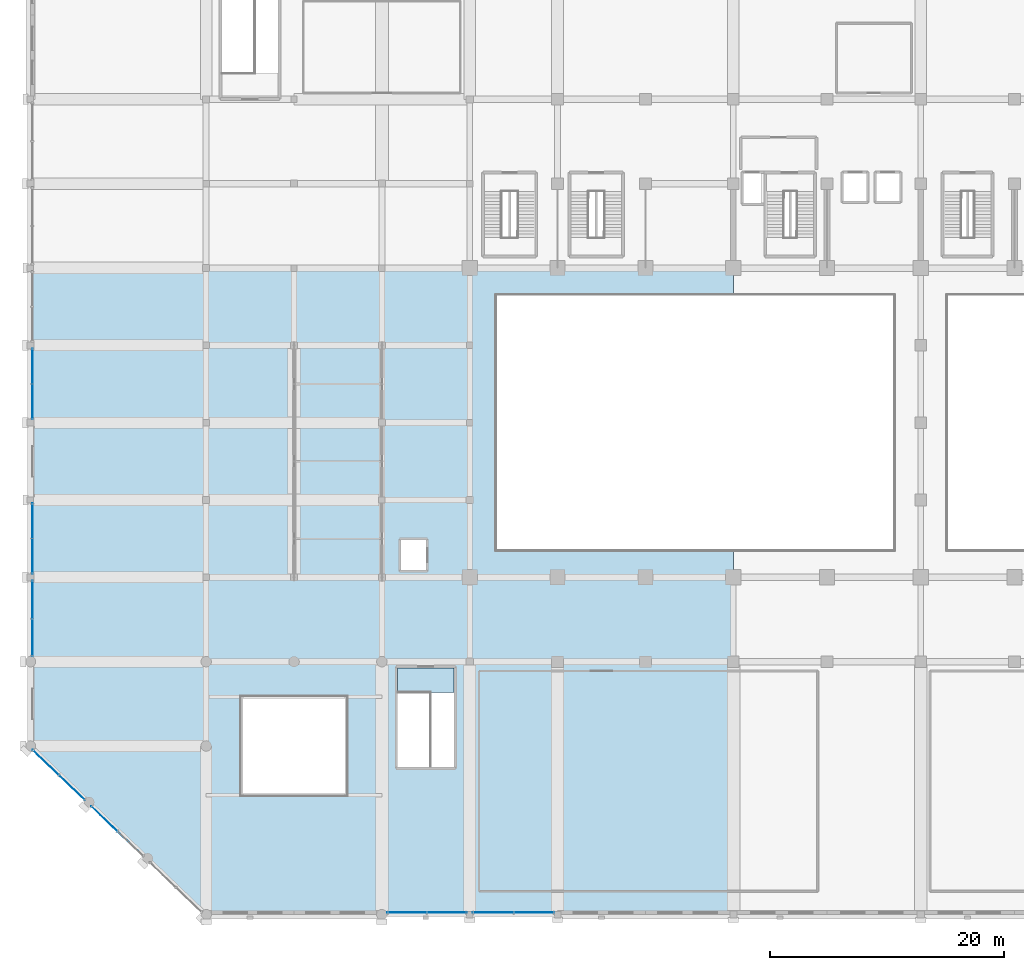
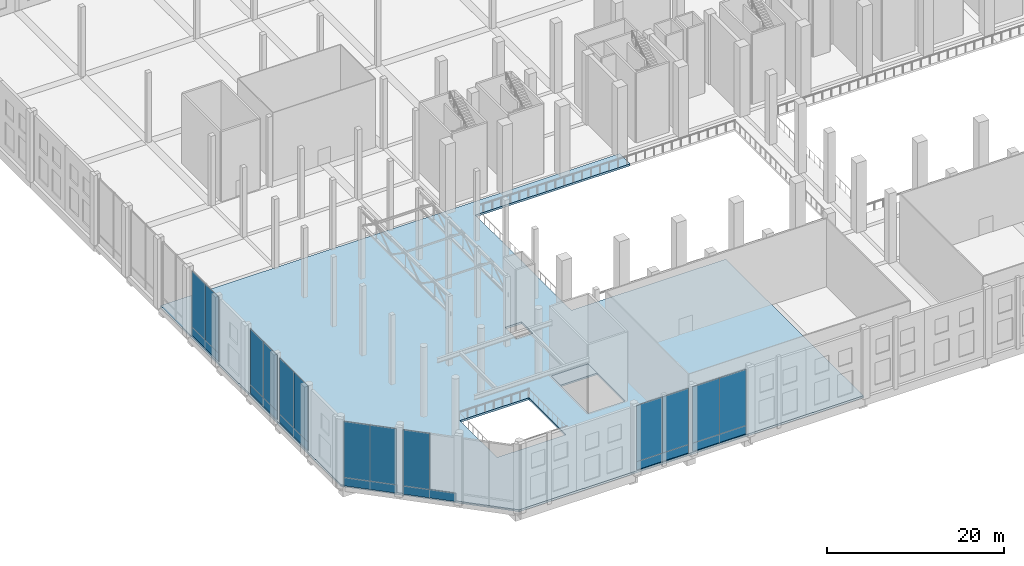
# One storey, part 52 of 80: 20 plates, 2 slabs, 7 elements without a shape of their own.
"""IFC4 building model written with IfcOpenShell, lengths in metres."""

from ifc_helpers import new_model, si_unit, direction, frame, origin, origin_2d, place, context, subcontext, project, spatial, polyline, rectangle, outline, extrude, material, layer, layer_set, type_object, element, aggregate, save


model = new_model("IFC4")

# Units and contexts
model_context = context("Model", 3, precision=1e-05, world=origin(), true_north=direction((0.0, 1.0)))
body_context = subcontext(model_context, "Body", "Model", "MODEL_VIEW")
ifc_project = project(units=[si_unit("LENGTHUNIT", "METRE"), si_unit("AREAUNIT", "SQUARE_METRE"), si_unit("VOLUMEUNIT", "CUBIC_METRE"), si_unit("PLANEANGLEUNIT", "RADIAN"), si_unit("MASSUNIT", "GRAM", prefix="KILO")], contexts=[model_context])

# Site, building, storey
site_placement = place(None, origin())
site = spatial("IfcSite", under=ifc_project, at=site_placement, CompositionType="ELEMENT")
building_placement = place(site_placement, origin())
building = spatial("IfcBuilding", under=site, at=building_placement, Name="Akrevak Sports Hall", CompositionType="ELEMENT")
storey_placement = place(building_placement, frame((0.0, 0.0, 14.0)))
storey = spatial("IfcBuildingStorey", under=building, at=storey_placement, Name="L03", CompositionType="ELEMENT", Elevation=14.0)

# Curtain wall, plate
ifc_material_1 = material(Name="Anodized Bronze Aluminium & Low-E Glass", Category="aluminium")
curtain_wall_type = type_object("IfcCurtainWallType", Name="ARC-CW-POD-64x94", PredefinedType="NOTDEFINED", material=ifc_material_1)
curtain_wall_1_placement = place(storey_placement, origin())
curtain_wall_1 = element("IfcCurtainWall", 1, at=curtain_wall_1_placement, inside=storey, type_object=curtain_wall_type, Name="Curtain Wall CW-L03-CH2", PredefinedType="NOTDEFINED")
ifc_material_2 = material(Name="Double Low-E Tempered Glass", Category="glass")
ifc_layer_1 = layer(ifc_material_2, 0.035888671875, Name="Double Low-E Tempered Glass")
ifc_layer_set_1 = layer_set([ifc_layer_1], Name="Double Low-E Tempered Glass")
plate_type_1 = type_object("IfcPlateType", Name="ARC-CWP-GLZ-36", PredefinedType="CURTAIN_PANEL", material=ifc_layer_set_1)
plate_1_placement = place(storey_placement, frame((6.304931640625, 8.180908203125, 1.14990234375), z_axis=(0.0, 0.0, 1.0), x_axis=(-0.721397723859, 0.692520991747, 0.0)))
plate_1 = element("IfcPlate", 2, at=plate_1_placement, type_object=plate_type_1, Name="Vision Glass Panel CW-L03-CH2-G2", PredefinedType="CURTAIN_PANEL", context=body_context, shape_type="SweptSolid", body=[
    extrude(rectangle(XDim=3.0830078125, YDim=0.035888671875, at=origin_2d()), origin(), (0.0, 0.0, 1.0), 7.760009765625),
])

# Curtain wall, plates
curtain_wall_2_placement = place(storey_placement, origin())
curtain_wall_2 = element("IfcCurtainWall", 3, at=curtain_wall_2_placement, inside=storey, type_object=curtain_wall_type, Name="Curtain Wall CW-L03-CH3", PredefinedType="NOTDEFINED")
plate_2_placement = place(storey_placement, frame((3.529052734375, 10.845947265625, 1.14990234375), z_axis=(0.0, 0.0, 1.0), x_axis=(-0.721397723859, 0.692520991747, 0.0)))
plate_2 = element("IfcPlate", 4, at=plate_2_placement, type_object=plate_type_1, Name="Vision Glass Panel CW-L03-CH3-G1", PredefinedType="CURTAIN_PANEL", context=body_context, shape_type="SweptSolid", body=[
    extrude(rectangle(XDim=3.0830078125, YDim=0.035888671875, at=origin_2d()), origin(), (0.0, 0.0, 1.0), 7.760009765625),
])
plate_3_placement = place(storey_placement, frame((1.304931640625, 12.98095703125, 1.14990234375), z_axis=(0.0, 0.0, 1.0), x_axis=(-0.721397723859, 0.692520991747, 0.0)))
plate_3 = element("IfcPlate", 5, at=plate_3_placement, type_object=plate_type_1, Name="Vision Glass Panel CW-L03-CH3-G2", PredefinedType="CURTAIN_PANEL", context=body_context, shape_type="SweptSolid", body=[
    extrude(rectangle(XDim=3.0830078125, YDim=0.035888671875, at=origin_2d()), origin(), (0.0, 0.0, 1.0), 7.760009765625),
])

curtain_wall_3_placement = place(storey_placement, origin())
curtain_wall_3 = element("IfcCurtainWall", 6, at=curtain_wall_3_placement, inside=storey, type_object=curtain_wall_type, Name="Curtain Wall CW-L03-S03", PredefinedType="NOTDEFINED")
plate_4_placement = place(storey_placement, frame((32.143798828125, 0.169921875, 1.14990234375), z_axis=(0.0, 0.0, 1.0), x_axis=(1.0, 0.0, 0.0)))
plate_4 = element("IfcPlate", 7, at=plate_4_placement, type_object=plate_type_1, Name="Vision Glass Panel CW-L03-S03-G1", PredefinedType="CURTAIN_PANEL", context=body_context, shape_type="SweptSolid", body=[
    extrude(rectangle(XDim=3.387451171875, YDim=0.035888671875, at=origin_2d()), origin(), (0.0, 0.0, 1.0), 7.77001953125),
])
plate_5_placement = place(storey_placement, frame((35.53125, 0.169921875, 1.14990234375), z_axis=(0.0, 0.0, 1.0), x_axis=(1.0, 0.0, 0.0)))
plate_5 = element("IfcPlate", 8, at=plate_5_placement, type_object=plate_type_1, Name="Vision Glass Panel CW-L03-S03-G2", PredefinedType="CURTAIN_PANEL", context=body_context, shape_type="SweptSolid", body=[
    extrude(rectangle(XDim=3.387451171875, YDim=0.035888671875, at=origin_2d()), origin(), (0.0, 0.0, 1.0), 7.77001953125),
])

curtain_wall_4_placement = place(storey_placement, origin())
curtain_wall_4 = element("IfcCurtainWall", 9, at=curtain_wall_4_placement, inside=storey, type_object=curtain_wall_type, Name="Curtain Wall CW-L03-S04", PredefinedType="NOTDEFINED")
plate_6_placement = place(storey_placement, frame((39.512451171875, 0.169921875, 1.14990234375), z_axis=(0.0, 0.0, 1.0), x_axis=(1.0, 0.0, 0.0)))
plate_6 = element("IfcPlate", 10, at=plate_6_placement, type_object=plate_type_1, Name="Vision Glass Panel CW-L03-S04-G1", PredefinedType="CURTAIN_PANEL", context=body_context, shape_type="SweptSolid", body=[
    extrude(rectangle(XDim=3.47509765625, YDim=0.035888671875, at=origin_2d()), origin(), (0.0, 0.0, 1.0), 7.77001953125),
])
plate_7_placement = place(storey_placement, frame((42.987548828125, 0.169921875, 1.14990234375), z_axis=(0.0, 0.0, 1.0), x_axis=(1.0, 0.0, 0.0)))
plate_7 = element("IfcPlate", 11, at=plate_7_placement, type_object=plate_type_1, Name="Vision Glass Panel CW-L03-S04-G2", PredefinedType="CURTAIN_PANEL", context=body_context, shape_type="SweptSolid", body=[
    extrude(rectangle(XDim=3.47509765625, YDim=0.035888671875, at=origin_2d()), origin(), (0.0, 0.0, 1.0), 7.77001953125),
])

curtain_wall_5_placement = place(storey_placement, origin())
curtain_wall_5 = element("IfcCurtainWall", 12, at=curtain_wall_5_placement, inside=storey, type_object=curtain_wall_type, Name="Curtain Wall CW-L03-W02", PredefinedType="NOTDEFINED")
plate_8_placement = place(storey_placement, frame((0.169921875, 26.887451171875, 1.14990234375), z_axis=(0.0, 0.0, 1.0), x_axis=(0.0, -1.0, 0.0)))
plate_8 = element("IfcPlate", 13, at=plate_8_placement, type_object=plate_type_1, Name="Vision Glass Panel CW-L03-W02-G1", PredefinedType="CURTAIN_PANEL", context=body_context, shape_type="SweptSolid", body=[
    extrude(rectangle(XDim=3.22509765625, YDim=0.035888671875, at=origin_2d()), origin(), (0.0, 0.0, 1.0), 7.77001953125),
])
plate_9_placement = place(storey_placement, frame((0.169921875, 23.66259765625, 1.14990234375), z_axis=(0.0, 0.0, 1.0), x_axis=(0.0, -1.0, 0.0)))
plate_9 = element("IfcPlate", 14, at=plate_9_placement, type_object=plate_type_1, Name="Vision Glass Panel CW-L03-W02-G2", PredefinedType="CURTAIN_PANEL", context=body_context, shape_type="SweptSolid", body=[
    extrude(rectangle(XDim=3.22509765625, YDim=0.035888671875, at=origin_2d()), origin(), (0.0, 0.0, 1.0), 7.77001953125),
])

curtain_wall_6_placement = place(storey_placement, origin())
curtain_wall_6 = element("IfcCurtainWall", 15, at=curtain_wall_6_placement, inside=storey, type_object=curtain_wall_type, Name="Curtain Wall CW-L03-W03", PredefinedType="NOTDEFINED")
plate_10_placement = place(storey_placement, frame((0.169921875, 33.61865234375, 1.14990234375), z_axis=(0.0, 0.0, 1.0), x_axis=(0.0, -1.0, 0.0)))
plate_10 = element("IfcPlate", 16, at=plate_10_placement, type_object=plate_type_1, Name="Vision Glass Panel CW-L03-W03-G1", PredefinedType="CURTAIN_PANEL", context=body_context, shape_type="SweptSolid", body=[
    extrude(rectangle(XDim=3.012451171875, YDim=0.035888671875, at=origin_2d()), origin(), (0.0, 0.0, 1.0), 7.77001953125),
])
plate_11_placement = place(storey_placement, frame((0.169921875, 30.606201171875, 1.14990234375), z_axis=(0.0, 0.0, 1.0), x_axis=(0.0, -1.0, 0.0)))
plate_11 = element("IfcPlate", 17, at=plate_11_placement, type_object=plate_type_1, Name="Vision Glass Panel CW-L03-W03-G2", PredefinedType="CURTAIN_PANEL", context=body_context, shape_type="SweptSolid", body=[
    extrude(rectangle(XDim=3.012451171875, YDim=0.035888671875, at=origin_2d()), origin(), (0.0, 0.0, 1.0), 7.77001953125),
])

curtain_wall_7_placement = place(storey_placement, origin())
curtain_wall_7 = element("IfcCurtainWall", 18, at=curtain_wall_7_placement, inside=storey, type_object=curtain_wall_type, Name="Curtain Wall CW-L03-W05", PredefinedType="NOTDEFINED")
plate_12_placement = place(storey_placement, frame((0.169921875, 46.800048828125, 1.14990234375), z_axis=(0.0, 0.0, 1.0), x_axis=(0.0, -1.0, 0.0)))
plate_12 = element("IfcPlate", 19, at=plate_12_placement, type_object=plate_type_1, Name="Vision Glass Panel CW-L03-W05-G1", PredefinedType="CURTAIN_PANEL", context=body_context, shape_type="SweptSolid", body=[
    extrude(rectangle(XDim=3.0, YDim=0.035888671875, at=origin_2d()), origin(), (0.0, 0.0, 1.0), 7.77001953125),
])
plate_13_placement = place(storey_placement, frame((0.169921875, 43.800048828125, 1.14990234375), z_axis=(0.0, 0.0, 1.0), x_axis=(0.0, -1.0, 0.0)))
plate_13 = element("IfcPlate", 20, at=plate_13_placement, type_object=plate_type_1, Name="Vision Glass Panel CW-L03-W05-G2", PredefinedType="CURTAIN_PANEL", context=body_context, shape_type="SweptSolid", body=[
    extrude(rectangle(XDim=3.0, YDim=0.035888671875, at=origin_2d()), origin(), (0.0, 0.0, 1.0), 7.77001953125),
])

# Plate
ifc_material_3 = material(Name="Insulated Bronze Spandrel Panel", Category="aluminium")
ifc_layer_2 = layer(ifc_material_3, 0.0439453125, Name="Insulated Bronze Spandrel Panel")
ifc_layer_set_2 = layer_set([ifc_layer_2], Name="Insulated Bronze Spandrel Panel")
plate_type_2 = type_object("IfcPlateType", Name="ARC-CWP-SPD-44", PredefinedType="CURTAIN_PANEL", material=ifc_layer_set_2)
plate_14_placement = place(storey_placement, frame((7.4169921875, 7.11328125, 0.0), z_axis=(0.0, 0.0, 1.0), x_axis=(-0.721397723859, 0.692520991747, 0.0)))
plate_14 = element("IfcPlate", 21, at=plate_14_placement, type_object=plate_type_2, Name="Insulated Spandrel Panel CW-L03-CH2-S1", PredefinedType="CURTAIN_PANEL", context=body_context, shape_type="SweptSolid", body=[
    extrude(rectangle(XDim=6.166015625, YDim=0.0439453125, at=origin_2d()), origin(), (0.0, 0.0, 1.0), 1.14990234375),
])

aggregate(curtain_wall_1, [plate_1, plate_14])

plate_15_placement = place(storey_placement, frame((2.4169921875, 11.913330078125, 0.0), z_axis=(0.0, 0.0, 1.0), x_axis=(-0.721397723859, 0.692520991747, 0.0)))
plate_15 = element("IfcPlate", 22, at=plate_15_placement, type_object=plate_type_2, Name="Insulated Spandrel Panel CW-L03-CH3-S1", PredefinedType="CURTAIN_PANEL", context=body_context, shape_type="SweptSolid", body=[
    extrude(rectangle(XDim=6.166015625, YDim=0.0439453125, at=origin_2d()), origin(), (0.0, 0.0, 1.0), 1.14990234375),
])

aggregate(curtain_wall_2, [plate_2, plate_3, plate_15])

plate_16_placement = place(storey_placement, frame((33.83740234375, 0.169921875, 0.0), z_axis=(0.0, 0.0, 1.0), x_axis=(1.0, 0.0, 0.0)))
plate_16 = element("IfcPlate", 23, at=plate_16_placement, type_object=plate_type_2, Name="Insulated Spandrel Panel CW-L03-S03-S1", PredefinedType="CURTAIN_PANEL", context=body_context, shape_type="SweptSolid", body=[
    extrude(rectangle(XDim=6.77490234375, YDim=0.0439453125, at=origin_2d()), origin(), (0.0, 0.0, 1.0), 1.14990234375),
])

aggregate(curtain_wall_3, [plate_4, plate_5, plate_16])

plate_17_placement = place(storey_placement, frame((41.25, 0.169921875, 0.0), z_axis=(0.0, 0.0, 1.0), x_axis=(1.0, 0.0, 0.0)))
plate_17 = element("IfcPlate", 24, at=plate_17_placement, type_object=plate_type_2, Name="Insulated Spandrel Panel CW-L03-S04-S1", PredefinedType="CURTAIN_PANEL", context=body_context, shape_type="SweptSolid", body=[
    extrude(rectangle(XDim=6.949951171875, YDim=0.0439453125, at=origin_2d()), origin(), (0.0, 0.0, 1.0), 1.14990234375),
])

aggregate(curtain_wall_4, [plate_6, plate_7, plate_17])

plate_18_placement = place(storey_placement, frame((0.169921875, 25.27490234375, 0.0), z_axis=(0.0, 0.0, 1.0), x_axis=(0.0, -1.0, 0.0)))
plate_18 = element("IfcPlate", 25, at=plate_18_placement, type_object=plate_type_2, Name="Insulated Spandrel Panel CW-L03-W02-S1", PredefinedType="CURTAIN_PANEL", context=body_context, shape_type="SweptSolid", body=[
    extrude(rectangle(XDim=6.449951171875, YDim=0.0439453125, at=origin_2d()), origin(), (0.0, 0.0, 1.0), 1.14990234375),
])

aggregate(curtain_wall_5, [plate_8, plate_9, plate_18])

plate_19_placement = place(storey_placement, frame((0.169921875, 32.112548828125, 0.0), z_axis=(0.0, 0.0, 1.0), x_axis=(0.0, -1.0, 0.0)))
plate_19 = element("IfcPlate", 26, at=plate_19_placement, type_object=plate_type_2, Name="Insulated Spandrel Panel CW-L03-W03-S1", PredefinedType="CURTAIN_PANEL", context=body_context, shape_type="SweptSolid", body=[
    extrude(rectangle(XDim=6.02490234375, YDim=0.0439453125, at=origin_2d()), origin(), (0.0, 0.0, 1.0), 1.14990234375),
])

aggregate(curtain_wall_6, [plate_10, plate_11, plate_19])

plate_20_placement = place(storey_placement, frame((0.169921875, 45.300048828125, 0.0), z_axis=(0.0, 0.0, 1.0), x_axis=(0.0, -1.0, 0.0)))
plate_20 = element("IfcPlate", 27, at=plate_20_placement, type_object=plate_type_2, Name="Insulated Spandrel Panel CW-L03-W05-S1", PredefinedType="CURTAIN_PANEL", context=body_context, shape_type="SweptSolid", body=[
    extrude(rectangle(XDim=6.0, YDim=0.0439453125, at=origin_2d()), origin(), (0.0, 0.0, 1.0), 1.14990234375),
])

aggregate(curtain_wall_7, [plate_12, plate_13, plate_20])

# Slabs
ifc_material_4 = material(Name="Concrete C40/50", Category="concrete")
ifc_layer_3 = layer(ifc_material_4, 0.280029296875, Name="Concrete C40/50")
ifc_layer_set_3 = layer_set([ifc_layer_3], Name="Concrete C40/50")
slab_type_1 = type_object("IfcSlabType", Name="STR-SLB-FLR-280", PredefinedType="FLOOR", material=ifc_layer_set_3)
slab_1_placement = place(storey_placement, frame((0.0, 0.0, -0.280029296875)))
element("IfcSlab", 28, at=slab_1_placement, inside=storey, type_object=slab_type_1, Name="Structural Floor Slab L03-1.1", PredefinedType="FLOOR", context=body_context, shape_type="SweptSolid", body=[
    extrude(outline(polyline([(0.0, 14.39990234375), (15.0, 0.0), (60.0, 0.0), (60.0, 31.14990234375), (39.800048828125, 31.14990234375), (39.800048828125, 52.85009765625), (60.0, 52.85009765625), (60.0, 55.199951171875), (0.0, 55.199951171875), (0.0, 14.39990234375)]), holes=[polyline([(27.0, 18.60009765625), (27.0, 10.199951171875), (18.0, 10.199951171875), (18.0, 18.60009765625), (27.0, 18.60009765625)]), polyline([(36.14990234375, 21.050048828125), (36.14990234375, 12.60009765625), (31.35009765625, 12.60009765625), (31.35009765625, 21.050048828125), (36.14990234375, 21.050048828125)]), polyline([(33.780029296875, 31.97998046875), (33.780029296875, 29.419921875), (31.6201171875, 29.419921875), (31.6201171875, 31.97998046875), (33.780029296875, 31.97998046875)])]), origin(), (0.0, 0.0, 1.0), 0.280029296875),
])
ifc_layer_4 = layer(ifc_material_4, 0.219970703125, Name="Concrete C40/50")
ifc_layer_set_4 = layer_set([ifc_layer_4], Name="Concrete C40/50")
slab_type_2 = type_object("IfcSlabType", Name="STR-SLB-LAND-220", PredefinedType="LANDING", material=ifc_layer_set_4)
slab_2_placement = place(storey_placement, frame((0.0, 0.0, -0.219970703125)))
element("IfcSlab", 29, at=slab_2_placement, inside=storey, type_object=slab_type_2, Name="Stair ST5 Floor Landing (L03)", PredefinedType="LANDING", context=body_context, shape_type="SweptSolid", body=[
    extrude(outline(polyline([(31.35009765625, 18.949951171875), (36.14990234375, 18.949951171875), (36.14990234375, 21.050048828125), (31.35009765625, 21.050048828125), (31.35009765625, 18.949951171875)])), origin(), (0.0, 0.0, 1.0), 0.219970703125),
])

save(model, "model.ifc")
